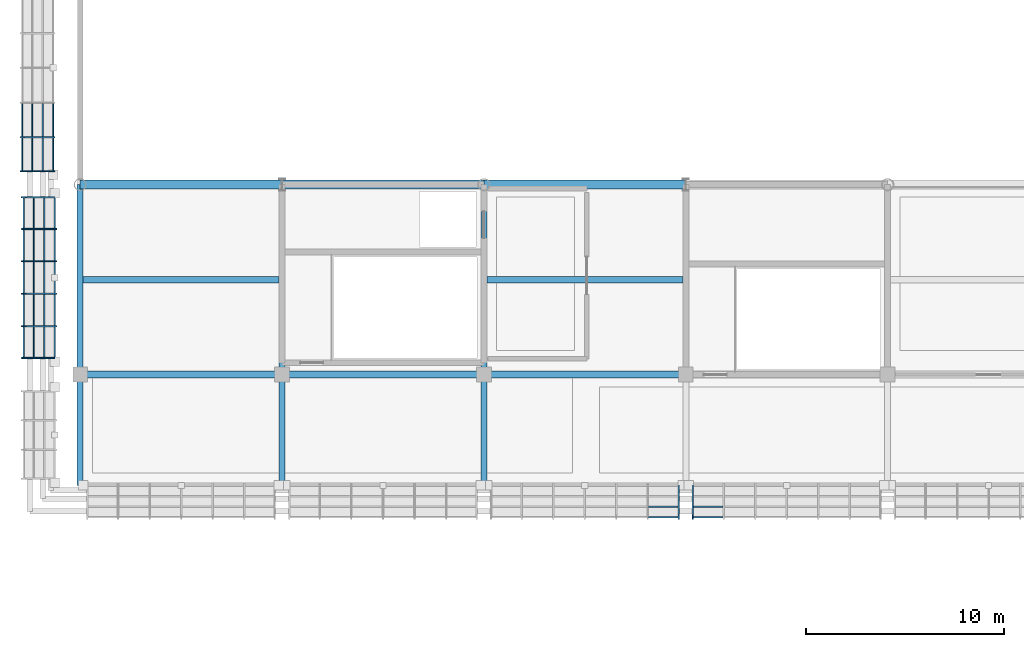
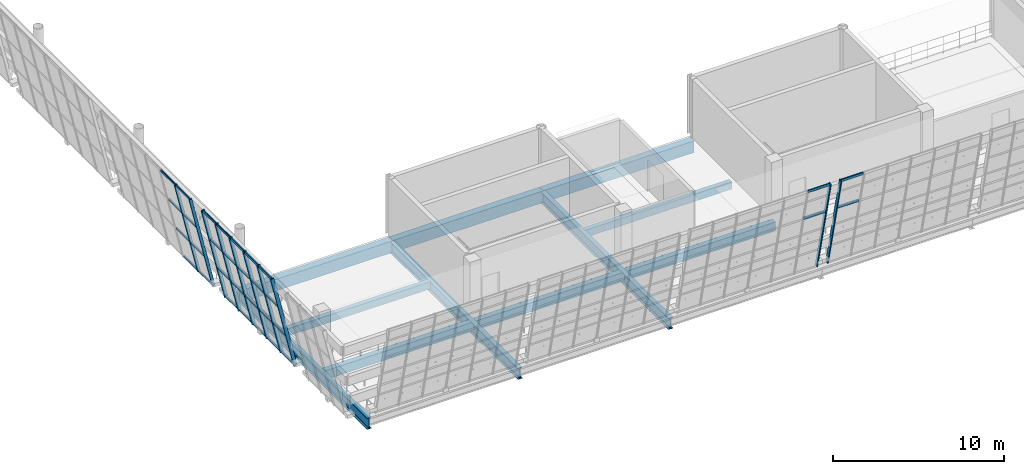
# One storey, part 23 of 157: 42 members, 11 beams, 4 elements without a shape of their own.
"""IFC4 building model written with IfcOpenShell, lengths in metres."""

from ifc_helpers import new_model, si_unit, direction, frame, origin, origin_2d, place, context, subcontext, project, spatial, rectangle, hollow_rectangle, i_section, extrude, material, material_profile, profile_set, type_object, element, aggregate, save


model = new_model("IFC4")

# Units and contexts
model_context = context("Model", 3, precision=1e-05, world=origin(), true_north=direction((0.0, 1.0)))
body_context = subcontext(model_context, "Body", "Model", "MODEL_VIEW")
ifc_project = project(units=[si_unit("LENGTHUNIT", "METRE"), si_unit("AREAUNIT", "SQUARE_METRE"), si_unit("VOLUMEUNIT", "CUBIC_METRE"), si_unit("PLANEANGLEUNIT", "RADIAN"), si_unit("MASSUNIT", "GRAM", prefix="KILO")], contexts=[model_context])

# Site, building, storey
site_placement = place(None, origin())
site = spatial("IfcSite", under=ifc_project, at=site_placement, CompositionType="ELEMENT")
building_placement = place(site_placement, origin())
building = spatial("IfcBuilding", under=site, at=building_placement, Name="Brelvane Convention Centre", CompositionType="ELEMENT")
storey_placement = place(building_placement, frame((0.0, 0.0, 10.800048828125)))
storey = spatial("IfcBuildingStorey", under=building, at=storey_placement, Name="L02", CompositionType="ELEMENT", Elevation=10.800048828125)

# Curtain wall, member
ifc_material_1 = material(Name="Anodised Aluminium Alloy 6063-T6", Category="aluminium")
curtain_wall_type = type_object("IfcCurtainWallType", Name="Curtain Wall CW-HULL-S", PredefinedType="USERDEFINED", material=ifc_material_1)
curtain_wall_1_placement = place(storey_placement, origin())
curtain_wall_1 = element("IfcCurtainWall", 1, at=curtain_wall_1_placement, inside=storey, type_object=curtain_wall_type, Name="Curtain Wall CW-HULL-S L02-HULL-S-L02-03", ObjectType="UNITISED", PredefinedType="USERDEFINED")
ifc_material_2 = material(Name="Anodised Aluminium Alloy 6063-T6", Category="aluminium")
ifc_material_profile_1 = material_profile(ifc_material_2, hollow_rectangle(XDim=0.080078125, YDim=0.239990234375, WallThickness=0.006103515625, InnerFilletRadius=0.006103515625, OuterFilletRadius=0.011962890625, at=origin_2d()), Name="ALU-M 240x80x6.0")
ifc_profile_set_1 = profile_set([ifc_material_profile_1], Name="Anodised Aluminium Alloy 6063-T6")
member_type_1 = type_object("IfcMemberType", Name="Curtain Mullion CW-M1", PredefinedType="MULLION", material=ifc_profile_set_1)
member_1_placement = place(storey_placement, frame((30.239990234375, 13.60009765625, 0.0), z_axis=(0.0, -0.228360410362, 0.973576665178), x_axis=(1.0, 0.0, 0.0)))
member_1 = element("IfcMember", 2, at=member_1_placement, type_object=member_type_1, Name="CW-HULL-S mullion 7", PredefinedType="MULLION", context=body_context, shape_type="SweptSolid", body=[
    extrude(hollow_rectangle(XDim=0.080078125, YDim=0.239990234375, WallThickness=0.006103515625, InnerFilletRadius=0.006103515625, OuterFilletRadius=0.011962890625, at=origin_2d()), origin(), (0.0, 0.0, 1.0), 7.03564453125),
])

curtain_wall_2_placement = place(storey_placement, origin())
curtain_wall_2 = element("IfcCurtainWall", 3, at=curtain_wall_2_placement, inside=storey, type_object=curtain_wall_type, Name="Curtain Wall CW-HULL-S L02-HULL-S-L02-04", ObjectType="UNITISED", PredefinedType="USERDEFINED")
member_2_placement = place(storey_placement, frame((30.9599609375, 13.60009765625, 0.0), z_axis=(0.0, -0.228360410362, 0.973576665178), x_axis=(1.0, 0.0, 0.0)))
member_2 = element("IfcMember", 4, at=member_2_placement, type_object=member_type_1, Name="CW-HULL-S mullion 1", PredefinedType="MULLION", context=body_context, shape_type="SweptSolid", body=[
    extrude(hollow_rectangle(XDim=0.080078125, YDim=0.239990234375, WallThickness=0.006103515625, InnerFilletRadius=0.006103515625, OuterFilletRadius=0.011962890625, at=origin_2d()), origin(), (0.0, 0.0, 1.0), 7.03564453125),
])

# Curtain wall, members
curtain_wall_3_placement = place(storey_placement, origin())
curtain_wall_3 = element("IfcCurtainWall", 5, at=curtain_wall_3_placement, inside=storey, type_object=curtain_wall_type, Name="Curtain Wall CW-HULL-S L02-HULL-W-GAL-L02-B", ObjectType="UNITISED", PredefinedType="USERDEFINED")
member_3_placement = place(storey_placement, frame((-1.280029296875, 20.0400390625, 0.0), z_axis=(-0.228358217905, 0.0, 0.973577179434), x_axis=(0.0, -1.0, 0.0)))
member_3 = element("IfcMember", 6, at=member_3_placement, type_object=member_type_1, Name="CW-HULL-S mullion 1", PredefinedType="MULLION", context=body_context, shape_type="SweptSolid", body=[
    extrude(hollow_rectangle(XDim=0.080078125, YDim=0.239990234375, WallThickness=0.006103515625, InnerFilletRadius=0.006103515625, OuterFilletRadius=0.011962890625, at=origin_2d()), origin(), (0.0, 0.0, 1.0), 6.93310546875),
])
member_4_placement = place(storey_placement, frame((-1.280029296875, 21.639892578125, 0.0), z_axis=(-0.228358217905, 0.0, 0.973577179434), x_axis=(0.0, -1.0, 0.0)))
member_4 = element("IfcMember", 7, at=member_4_placement, type_object=member_type_1, Name="CW-HULL-S mullion 2", PredefinedType="MULLION", context=body_context, shape_type="SweptSolid", body=[
    extrude(hollow_rectangle(XDim=0.080078125, YDim=0.239990234375, WallThickness=0.006103515625, InnerFilletRadius=0.006103515625, OuterFilletRadius=0.011962890625, at=origin_2d()), origin(), (0.0, 0.0, 1.0), 6.93310546875),
])
member_5_placement = place(storey_placement, frame((-1.280029296875, 23.280029296875, 0.0), z_axis=(-0.228358217905, 0.0, 0.973577179434), x_axis=(0.0, -1.0, 0.0)))
member_5 = element("IfcMember", 8, at=member_5_placement, type_object=member_type_1, Name="CW-HULL-S mullion 3", PredefinedType="MULLION", context=body_context, shape_type="SweptSolid", body=[
    extrude(hollow_rectangle(XDim=0.080078125, YDim=0.239990234375, WallThickness=0.006103515625, InnerFilletRadius=0.006103515625, OuterFilletRadius=0.011962890625, at=origin_2d()), origin(), (0.0, 0.0, 1.0), 6.93310546875),
])
member_6_placement = place(storey_placement, frame((-1.280029296875, 24.919921875, 0.0), z_axis=(-0.228358217905, 0.0, 0.973577179434), x_axis=(0.0, -1.0, 0.0)))
member_6 = element("IfcMember", 9, at=member_6_placement, type_object=member_type_1, Name="CW-HULL-S mullion 4", PredefinedType="MULLION", context=body_context, shape_type="SweptSolid", body=[
    extrude(hollow_rectangle(XDim=0.080078125, YDim=0.239990234375, WallThickness=0.006103515625, InnerFilletRadius=0.006103515625, OuterFilletRadius=0.011962890625, at=origin_2d()), origin(), (0.0, 0.0, 1.0), 6.93310546875),
])
member_7_placement = place(storey_placement, frame((-1.280029296875, 26.56005859375, 0.0), z_axis=(-0.228358217905, 0.0, 0.973577179434), x_axis=(0.0, -1.0, 0.0)))
member_7 = element("IfcMember", 10, at=member_7_placement, type_object=member_type_1, Name="CW-HULL-S mullion 5", PredefinedType="MULLION", context=body_context, shape_type="SweptSolid", body=[
    extrude(hollow_rectangle(XDim=0.080078125, YDim=0.239990234375, WallThickness=0.006103515625, InnerFilletRadius=0.006103515625, OuterFilletRadius=0.011962890625, at=origin_2d()), origin(), (0.0, 0.0, 1.0), 6.93310546875),
])
member_8_placement = place(storey_placement, frame((-1.280029296875, 28.159912109375, 0.0), z_axis=(-0.228358217905, 0.0, 0.973577179434), x_axis=(0.0, -1.0, 0.0)))
member_8 = element("IfcMember", 11, at=member_8_placement, type_object=member_type_1, Name="CW-HULL-S mullion 6", PredefinedType="MULLION", context=body_context, shape_type="SweptSolid", body=[
    extrude(hollow_rectangle(XDim=0.080078125, YDim=0.239990234375, WallThickness=0.006103515625, InnerFilletRadius=0.006103515625, OuterFilletRadius=0.011962890625, at=origin_2d()), origin(), (0.0, 0.0, 1.0), 6.93310546875),
])

curtain_wall_4_placement = place(storey_placement, origin())
curtain_wall_4 = element("IfcCurtainWall", 12, at=curtain_wall_4_placement, inside=storey, type_object=curtain_wall_type, Name="Curtain Wall CW-HULL-S L02-HULL-W-L02-1", ObjectType="UNITISED", PredefinedType="USERDEFINED")
ifc_material_3 = material(Name="Anodised Aluminium Alloy 6063-T6", Category="aluminium")
ifc_material_profile_2 = material_profile(ifc_material_3, hollow_rectangle(XDim=0.074951171875, YDim=0.199951171875, WallThickness=0.0048828125, InnerFilletRadius=0.0048828125, OuterFilletRadius=0.010009765625, at=origin_2d()), Name="ALU-M 200x75x5.0")
ifc_profile_set_2 = profile_set([ifc_material_profile_2], Name="Anodised Aluminium Alloy 6063-T6")
member_type_2 = type_object("IfcMemberType", Name="Curtain Mullion CW-M2", PredefinedType="MULLION", material=ifc_profile_set_2)
member_9_placement = place(storey_placement, frame((-1.360107421875, 29.487548828125, 0.0), z_axis=(-0.228324840492, 0.0, 0.973585007698), x_axis=(0.0, -1.0, 0.0)))
member_9 = element("IfcMember", 13, at=member_9_placement, type_object=member_type_2, Name="CW-HULL-S mullion 1", PredefinedType="MULLION", context=body_context, shape_type="SweptSolid", body=[
    extrude(hollow_rectangle(XDim=0.074951171875, YDim=0.199951171875, WallThickness=0.0048828125, InnerFilletRadius=0.0048828125, OuterFilletRadius=0.010009765625, at=origin_2d()), origin(), (0.0, 0.0, 1.0), 6.93310546875),
])
member_10_placement = place(storey_placement, frame((-1.360107421875, 31.199951171875, 0.0), z_axis=(-0.228324840492, 0.0, 0.973585007698), x_axis=(0.0, -1.0, 0.0)))
member_10 = element("IfcMember", 14, at=member_10_placement, type_object=member_type_2, Name="CW-HULL-S mullion 2", PredefinedType="MULLION", context=body_context, shape_type="SweptSolid", body=[
    extrude(hollow_rectangle(XDim=0.074951171875, YDim=0.199951171875, WallThickness=0.0048828125, InnerFilletRadius=0.0048828125, OuterFilletRadius=0.010009765625, at=origin_2d()), origin(), (0.0, 0.0, 1.0), 6.93310546875),
])

# Member
ifc_material_4 = material(Name="Anodised Aluminium Alloy 6063-T6", Category="aluminium")
ifc_material_profile_3 = material_profile(ifc_material_4, hollow_rectangle(XDim=0.080078125, YDim=0.179931640625, WallThickness=0.0048828125, InnerFilletRadius=0.0048828125, OuterFilletRadius=0.010009765625, at=origin_2d()), Name="ALU-T 180x80x5.0")
ifc_profile_set_3 = profile_set([ifc_material_profile_3], Name="Anodised Aluminium Alloy 6063-T6")
member_type_3 = type_object("IfcMemberType", Name="Curtain Transom CW-T1", PredefinedType="USERDEFINED", material=ifc_profile_set_3)
member_11_placement = place(storey_placement, frame((28.7265625, 12.52880859375, 4.566650390625), z_axis=(1.0, 0.0, 0.0), x_axis=(0.0, 1.0, 0.0)))
member_11 = element("IfcMember", 15, at=member_11_placement, type_object=member_type_3, Name="CW-HULL-S transom 6.3", ObjectType="TRANSOM", PredefinedType="USERDEFINED", context=body_context, shape_type="SweptSolid", body=[
    extrude(hollow_rectangle(XDim=0.080078125, YDim=0.179931640625, WallThickness=0.0048828125, InnerFilletRadius=0.0048828125, OuterFilletRadius=0.010009765625, at=origin_2d()), origin(), (0.0, 0.0, 1.0), 1.473388671875),
])

member_12_placement = place(storey_placement, frame((28.7265625, 12.002685546875, 6.81005859375), z_axis=(1.0, 0.0, 0.0), x_axis=(0.0, 1.0, 0.0)))
member_12 = element("IfcMember", 16, at=member_12_placement, type_object=member_type_3, Name="CW-HULL-S transom 6.4", ObjectType="TRANSOM", PredefinedType="USERDEFINED", context=body_context, shape_type="SweptSolid", body=[
    extrude(hollow_rectangle(XDim=0.080078125, YDim=0.179931640625, WallThickness=0.0048828125, InnerFilletRadius=0.0048828125, OuterFilletRadius=0.010009765625, at=origin_2d()), origin(), (0.0, 0.0, 1.0), 1.473388671875),
])

aggregate(curtain_wall_1, [member_1, member_11, member_12])

member_13_placement = place(storey_placement, frame((31.0, 12.52880859375, 4.566650390625), z_axis=(1.0, 0.0, 0.0), x_axis=(0.0, 1.0, 0.0)))
member_13 = element("IfcMember", 17, at=member_13_placement, type_object=member_type_3, Name="CW-HULL-S transom 1.3", ObjectType="TRANSOM", PredefinedType="USERDEFINED", context=body_context, shape_type="SweptSolid", body=[
    extrude(hollow_rectangle(XDim=0.080078125, YDim=0.179931640625, WallThickness=0.0048828125, InnerFilletRadius=0.0048828125, OuterFilletRadius=0.010009765625, at=origin_2d()), origin(), (0.0, 0.0, 1.0), 1.473388671875),
])

member_14_placement = place(storey_placement, frame((31.0, 12.002685546875, 6.81005859375), z_axis=(1.0, 0.0, 0.0), x_axis=(0.0, 1.0, 0.0)))
member_14 = element("IfcMember", 18, at=member_14_placement, type_object=member_type_3, Name="CW-HULL-S transom 1.4", ObjectType="TRANSOM", PredefinedType="USERDEFINED", context=body_context, shape_type="SweptSolid", body=[
    extrude(hollow_rectangle(XDim=0.080078125, YDim=0.179931640625, WallThickness=0.0048828125, InnerFilletRadius=0.0048828125, OuterFilletRadius=0.010009765625, at=origin_2d()), origin(), (0.0, 0.0, 1.0), 1.473388671875),
])

aggregate(curtain_wall_2, [member_2, member_13, member_14])

member_15_placement = place(storey_placement, frame((-1.289306640625, 20.080078125, 0.0400390625), z_axis=(0.0, 1.0, 0.0), x_axis=(-1.0, 0.0, 0.0)))
member_15 = element("IfcMember", 19, at=member_15_placement, type_object=member_type_3, Name="CW-HULL-S transom 1.1", ObjectType="TRANSOM", PredefinedType="USERDEFINED", context=body_context, shape_type="SweptSolid", body=[
    extrude(hollow_rectangle(XDim=0.080078125, YDim=0.179931640625, WallThickness=0.0048828125, InnerFilletRadius=0.0048828125, OuterFilletRadius=0.010009765625, at=origin_2d()), origin(), (0.0, 0.0, 1.0), 1.52001953125),
])

member_16_placement = place(storey_placement, frame((-1.8076171875, 20.080078125, 2.25), z_axis=(0.0, 1.0, 0.0), x_axis=(-1.0, 0.0, 0.0)))
member_16 = element("IfcMember", 20, at=member_16_placement, type_object=member_type_3, Name="CW-HULL-S transom 1.2", ObjectType="TRANSOM", PredefinedType="USERDEFINED", context=body_context, shape_type="SweptSolid", body=[
    extrude(hollow_rectangle(XDim=0.080078125, YDim=0.179931640625, WallThickness=0.0048828125, InnerFilletRadius=0.0048828125, OuterFilletRadius=0.010009765625, at=origin_2d()), origin(), (0.0, 0.0, 1.0), 1.52001953125),
])

member_17_placement = place(storey_placement, frame((-2.33544921875, 20.080078125, 4.5), z_axis=(0.0, 1.0, 0.0), x_axis=(-1.0, 0.0, 0.0)))
member_17 = element("IfcMember", 21, at=member_17_placement, type_object=member_type_3, Name="CW-HULL-S transom 1.3", ObjectType="TRANSOM", PredefinedType="USERDEFINED", context=body_context, shape_type="SweptSolid", body=[
    extrude(hollow_rectangle(XDim=0.080078125, YDim=0.179931640625, WallThickness=0.0048828125, InnerFilletRadius=0.0048828125, OuterFilletRadius=0.010009765625, at=origin_2d()), origin(), (0.0, 0.0, 1.0), 1.52001953125),
])

member_18_placement = place(storey_placement, frame((-2.853759765625, 20.080078125, 6.7099609375), z_axis=(0.0, 1.0, 0.0), x_axis=(-1.0, 0.0, 0.0)))
member_18 = element("IfcMember", 22, at=member_18_placement, type_object=member_type_3, Name="CW-HULL-S transom 1.4", ObjectType="TRANSOM", PredefinedType="USERDEFINED", context=body_context, shape_type="SweptSolid", body=[
    extrude(hollow_rectangle(XDim=0.080078125, YDim=0.179931640625, WallThickness=0.0048828125, InnerFilletRadius=0.0048828125, OuterFilletRadius=0.010009765625, at=origin_2d()), origin(), (0.0, 0.0, 1.0), 1.52001953125),
])

member_19_placement = place(storey_placement, frame((-1.289306640625, 21.679931640625, 0.0400390625), z_axis=(0.0, 1.0, 0.0), x_axis=(-1.0, 0.0, 0.0)))
member_19 = element("IfcMember", 23, at=member_19_placement, type_object=member_type_3, Name="CW-HULL-S transom 2.1", ObjectType="TRANSOM", PredefinedType="USERDEFINED", context=body_context, shape_type="SweptSolid", body=[
    extrude(hollow_rectangle(XDim=0.080078125, YDim=0.179931640625, WallThickness=0.0048828125, InnerFilletRadius=0.0048828125, OuterFilletRadius=0.010009765625, at=origin_2d()), origin(), (0.0, 0.0, 1.0), 1.56005859375),
])

member_20_placement = place(storey_placement, frame((-1.8076171875, 21.679931640625, 2.25), z_axis=(0.0, 1.0, 0.0), x_axis=(-1.0, 0.0, 0.0)))
member_20 = element("IfcMember", 24, at=member_20_placement, type_object=member_type_3, Name="CW-HULL-S transom 2.2", ObjectType="TRANSOM", PredefinedType="USERDEFINED", context=body_context, shape_type="SweptSolid", body=[
    extrude(hollow_rectangle(XDim=0.080078125, YDim=0.179931640625, WallThickness=0.0048828125, InnerFilletRadius=0.0048828125, OuterFilletRadius=0.010009765625, at=origin_2d()), origin(), (0.0, 0.0, 1.0), 1.56005859375),
])

member_21_placement = place(storey_placement, frame((-2.33544921875, 21.679931640625, 4.5), z_axis=(0.0, 1.0, 0.0), x_axis=(-1.0, 0.0, 0.0)))
member_21 = element("IfcMember", 25, at=member_21_placement, type_object=member_type_3, Name="CW-HULL-S transom 2.3", ObjectType="TRANSOM", PredefinedType="USERDEFINED", context=body_context, shape_type="SweptSolid", body=[
    extrude(hollow_rectangle(XDim=0.080078125, YDim=0.179931640625, WallThickness=0.0048828125, InnerFilletRadius=0.0048828125, OuterFilletRadius=0.010009765625, at=origin_2d()), origin(), (0.0, 0.0, 1.0), 1.56005859375),
])

member_22_placement = place(storey_placement, frame((-2.853759765625, 21.679931640625, 6.7099609375), z_axis=(0.0, 1.0, 0.0), x_axis=(-1.0, 0.0, 0.0)))
member_22 = element("IfcMember", 26, at=member_22_placement, type_object=member_type_3, Name="CW-HULL-S transom 2.4", ObjectType="TRANSOM", PredefinedType="USERDEFINED", context=body_context, shape_type="SweptSolid", body=[
    extrude(hollow_rectangle(XDim=0.080078125, YDim=0.179931640625, WallThickness=0.0048828125, InnerFilletRadius=0.0048828125, OuterFilletRadius=0.010009765625, at=origin_2d()), origin(), (0.0, 0.0, 1.0), 1.56005859375),
])

member_23_placement = place(storey_placement, frame((-1.289306640625, 23.320068359375, 0.0400390625), z_axis=(0.0, 1.0, 0.0), x_axis=(-1.0, 0.0, 0.0)))
member_23 = element("IfcMember", 27, at=member_23_placement, type_object=member_type_3, Name="CW-HULL-S transom 3.1", ObjectType="TRANSOM", PredefinedType="USERDEFINED", context=body_context, shape_type="SweptSolid", body=[
    extrude(hollow_rectangle(XDim=0.080078125, YDim=0.179931640625, WallThickness=0.0048828125, InnerFilletRadius=0.0048828125, OuterFilletRadius=0.010009765625, at=origin_2d()), origin(), (0.0, 0.0, 1.0), 1.559814453125),
])

member_24_placement = place(storey_placement, frame((-1.8076171875, 23.320068359375, 2.25), z_axis=(0.0, 1.0, 0.0), x_axis=(-1.0, 0.0, 0.0)))
member_24 = element("IfcMember", 28, at=member_24_placement, type_object=member_type_3, Name="CW-HULL-S transom 3.2", ObjectType="TRANSOM", PredefinedType="USERDEFINED", context=body_context, shape_type="SweptSolid", body=[
    extrude(hollow_rectangle(XDim=0.080078125, YDim=0.179931640625, WallThickness=0.0048828125, InnerFilletRadius=0.0048828125, OuterFilletRadius=0.010009765625, at=origin_2d()), origin(), (0.0, 0.0, 1.0), 1.559814453125),
])

member_25_placement = place(storey_placement, frame((-2.33544921875, 23.320068359375, 4.5), z_axis=(0.0, 1.0, 0.0), x_axis=(-1.0, 0.0, 0.0)))
member_25 = element("IfcMember", 29, at=member_25_placement, type_object=member_type_3, Name="CW-HULL-S transom 3.3", ObjectType="TRANSOM", PredefinedType="USERDEFINED", context=body_context, shape_type="SweptSolid", body=[
    extrude(hollow_rectangle(XDim=0.080078125, YDim=0.179931640625, WallThickness=0.0048828125, InnerFilletRadius=0.0048828125, OuterFilletRadius=0.010009765625, at=origin_2d()), origin(), (0.0, 0.0, 1.0), 1.559814453125),
])

member_26_placement = place(storey_placement, frame((-2.853759765625, 23.320068359375, 6.7099609375), z_axis=(0.0, 1.0, 0.0), x_axis=(-1.0, 0.0, 0.0)))
member_26 = element("IfcMember", 30, at=member_26_placement, type_object=member_type_3, Name="CW-HULL-S transom 3.4", ObjectType="TRANSOM", PredefinedType="USERDEFINED", context=body_context, shape_type="SweptSolid", body=[
    extrude(hollow_rectangle(XDim=0.080078125, YDim=0.179931640625, WallThickness=0.0048828125, InnerFilletRadius=0.0048828125, OuterFilletRadius=0.010009765625, at=origin_2d()), origin(), (0.0, 0.0, 1.0), 1.559814453125),
])

member_27_placement = place(storey_placement, frame((-1.289306640625, 24.9599609375, 0.0400390625), z_axis=(0.0, 1.0, 0.0), x_axis=(-1.0, 0.0, 0.0)))
member_27 = element("IfcMember", 31, at=member_27_placement, type_object=member_type_3, Name="CW-HULL-S transom 4.1", ObjectType="TRANSOM", PredefinedType="USERDEFINED", context=body_context, shape_type="SweptSolid", body=[
    extrude(hollow_rectangle(XDim=0.080078125, YDim=0.179931640625, WallThickness=0.0048828125, InnerFilletRadius=0.0048828125, OuterFilletRadius=0.010009765625, at=origin_2d()), origin(), (0.0, 0.0, 1.0), 1.56005859375),
])

member_28_placement = place(storey_placement, frame((-1.8076171875, 24.9599609375, 2.25), z_axis=(0.0, 1.0, 0.0), x_axis=(-1.0, 0.0, 0.0)))
member_28 = element("IfcMember", 32, at=member_28_placement, type_object=member_type_3, Name="CW-HULL-S transom 4.2", ObjectType="TRANSOM", PredefinedType="USERDEFINED", context=body_context, shape_type="SweptSolid", body=[
    extrude(hollow_rectangle(XDim=0.080078125, YDim=0.179931640625, WallThickness=0.0048828125, InnerFilletRadius=0.0048828125, OuterFilletRadius=0.010009765625, at=origin_2d()), origin(), (0.0, 0.0, 1.0), 1.56005859375),
])

member_29_placement = place(storey_placement, frame((-2.33544921875, 24.9599609375, 4.5), z_axis=(0.0, 1.0, 0.0), x_axis=(-1.0, 0.0, 0.0)))
member_29 = element("IfcMember", 33, at=member_29_placement, type_object=member_type_3, Name="CW-HULL-S transom 4.3", ObjectType="TRANSOM", PredefinedType="USERDEFINED", context=body_context, shape_type="SweptSolid", body=[
    extrude(hollow_rectangle(XDim=0.080078125, YDim=0.179931640625, WallThickness=0.0048828125, InnerFilletRadius=0.0048828125, OuterFilletRadius=0.010009765625, at=origin_2d()), origin(), (0.0, 0.0, 1.0), 1.56005859375),
])

member_30_placement = place(storey_placement, frame((-2.853759765625, 24.9599609375, 6.7099609375), z_axis=(0.0, 1.0, 0.0), x_axis=(-1.0, 0.0, 0.0)))
member_30 = element("IfcMember", 34, at=member_30_placement, type_object=member_type_3, Name="CW-HULL-S transom 4.4", ObjectType="TRANSOM", PredefinedType="USERDEFINED", context=body_context, shape_type="SweptSolid", body=[
    extrude(hollow_rectangle(XDim=0.080078125, YDim=0.179931640625, WallThickness=0.0048828125, InnerFilletRadius=0.0048828125, OuterFilletRadius=0.010009765625, at=origin_2d()), origin(), (0.0, 0.0, 1.0), 1.56005859375),
])

member_31_placement = place(storey_placement, frame((-1.289306640625, 26.60009765625, 0.0400390625), z_axis=(0.0, 1.0, 0.0), x_axis=(-1.0, 0.0, 0.0)))
member_31 = element("IfcMember", 35, at=member_31_placement, type_object=member_type_3, Name="CW-HULL-S transom 5.1", ObjectType="TRANSOM", PredefinedType="USERDEFINED", context=body_context, shape_type="SweptSolid", body=[
    extrude(hollow_rectangle(XDim=0.080078125, YDim=0.179931640625, WallThickness=0.0048828125, InnerFilletRadius=0.0048828125, OuterFilletRadius=0.010009765625, at=origin_2d()), origin(), (0.0, 0.0, 1.0), 1.52001953125),
])

member_32_placement = place(storey_placement, frame((-1.8076171875, 26.60009765625, 2.25), z_axis=(0.0, 1.0, 0.0), x_axis=(-1.0, 0.0, 0.0)))
member_32 = element("IfcMember", 36, at=member_32_placement, type_object=member_type_3, Name="CW-HULL-S transom 5.2", ObjectType="TRANSOM", PredefinedType="USERDEFINED", context=body_context, shape_type="SweptSolid", body=[
    extrude(hollow_rectangle(XDim=0.080078125, YDim=0.179931640625, WallThickness=0.0048828125, InnerFilletRadius=0.0048828125, OuterFilletRadius=0.010009765625, at=origin_2d()), origin(), (0.0, 0.0, 1.0), 1.52001953125),
])

member_33_placement = place(storey_placement, frame((-2.33544921875, 26.60009765625, 4.5), z_axis=(0.0, 1.0, 0.0), x_axis=(-1.0, 0.0, 0.0)))
member_33 = element("IfcMember", 37, at=member_33_placement, type_object=member_type_3, Name="CW-HULL-S transom 5.3", ObjectType="TRANSOM", PredefinedType="USERDEFINED", context=body_context, shape_type="SweptSolid", body=[
    extrude(hollow_rectangle(XDim=0.080078125, YDim=0.179931640625, WallThickness=0.0048828125, InnerFilletRadius=0.0048828125, OuterFilletRadius=0.010009765625, at=origin_2d()), origin(), (0.0, 0.0, 1.0), 1.52001953125),
])

member_34_placement = place(storey_placement, frame((-2.853759765625, 26.60009765625, 6.7099609375), z_axis=(0.0, 1.0, 0.0), x_axis=(-1.0, 0.0, 0.0)))
member_34 = element("IfcMember", 38, at=member_34_placement, type_object=member_type_3, Name="CW-HULL-S transom 5.4", ObjectType="TRANSOM", PredefinedType="USERDEFINED", context=body_context, shape_type="SweptSolid", body=[
    extrude(hollow_rectangle(XDim=0.080078125, YDim=0.179931640625, WallThickness=0.0048828125, InnerFilletRadius=0.0048828125, OuterFilletRadius=0.010009765625, at=origin_2d()), origin(), (0.0, 0.0, 1.0), 1.52001953125),
])

aggregate(curtain_wall_3, [member_3, member_4, member_5, member_6, member_7, member_8, member_15, member_16, member_17, member_18, member_19, member_20, member_21, member_22, member_23, member_24, member_25, member_26, member_27, member_28, member_29, member_30, member_31, member_32, member_33, member_34])

ifc_material_5 = material(Name="Anodised Aluminium Alloy 6063-T6", Category="aluminium")
ifc_material_profile_4 = material_profile(ifc_material_5, hollow_rectangle(XDim=0.070068359375, YDim=0.14990234375, WallThickness=0.00439453125, InnerFilletRadius=0.00439453125, OuterFilletRadius=0.009033203125, at=origin_2d()), Name="ALU-T 150x70x4.5")
ifc_profile_set_4 = profile_set([ifc_material_profile_4], Name="Anodised Aluminium Alloy 6063-T6")
member_type_4 = type_object("IfcMemberType", Name="Curtain Transom CW-T2", PredefinedType="USERDEFINED", material=ifc_profile_set_4)
member_35_placement = place(storey_placement, frame((-1.3681640625, 29.52490234375, 0.034912109375), z_axis=(0.0, 1.0, 0.0), x_axis=(-1.0, 0.0, 0.0)))
member_35 = element("IfcMember", 39, at=member_35_placement, type_object=member_type_4, Name="CW-HULL-S transom 1.1", ObjectType="TRANSOM", PredefinedType="USERDEFINED", context=body_context, shape_type="SweptSolid", body=[
    extrude(hollow_rectangle(XDim=0.070068359375, YDim=0.14990234375, WallThickness=0.00439453125, InnerFilletRadius=0.00439453125, OuterFilletRadius=0.009033203125, at=origin_2d()), origin(), (0.0, 0.0, 1.0), 1.6376953125),
])

member_36_placement = place(storey_placement, frame((-1.8876953125, 29.52490234375, 2.25), z_axis=(0.0, 1.0, 0.0), x_axis=(-1.0, 0.0, 0.0)))
member_36 = element("IfcMember", 40, at=member_36_placement, type_object=member_type_4, Name="CW-HULL-S transom 1.2", ObjectType="TRANSOM", PredefinedType="USERDEFINED", context=body_context, shape_type="SweptSolid", body=[
    extrude(hollow_rectangle(XDim=0.070068359375, YDim=0.14990234375, WallThickness=0.00439453125, InnerFilletRadius=0.00439453125, OuterFilletRadius=0.009033203125, at=origin_2d()), origin(), (0.0, 0.0, 1.0), 1.6376953125),
])

member_37_placement = place(storey_placement, frame((-2.41552734375, 29.52490234375, 4.5), z_axis=(0.0, 1.0, 0.0), x_axis=(-1.0, 0.0, 0.0)))
member_37 = element("IfcMember", 41, at=member_37_placement, type_object=member_type_4, Name="CW-HULL-S transom 1.3", ObjectType="TRANSOM", PredefinedType="USERDEFINED", context=body_context, shape_type="SweptSolid", body=[
    extrude(hollow_rectangle(XDim=0.070068359375, YDim=0.14990234375, WallThickness=0.00439453125, InnerFilletRadius=0.00439453125, OuterFilletRadius=0.009033203125, at=origin_2d()), origin(), (0.0, 0.0, 1.0), 1.6376953125),
])

member_38_placement = place(storey_placement, frame((-2.93505859375, 29.52490234375, 6.71484375), z_axis=(0.0, 1.0, 0.0), x_axis=(-1.0, 0.0, 0.0)))
member_38 = element("IfcMember", 42, at=member_38_placement, type_object=member_type_4, Name="CW-HULL-S transom 1.4", ObjectType="TRANSOM", PredefinedType="USERDEFINED", context=body_context, shape_type="SweptSolid", body=[
    extrude(hollow_rectangle(XDim=0.070068359375, YDim=0.14990234375, WallThickness=0.00439453125, InnerFilletRadius=0.00439453125, OuterFilletRadius=0.009033203125, at=origin_2d()), origin(), (0.0, 0.0, 1.0), 1.6376953125),
])

member_39_placement = place(storey_placement, frame((-1.3681640625, 31.237548828125, 0.034912109375), z_axis=(0.0, 1.0, 0.0), x_axis=(-1.0, 0.0, 0.0)))
member_39 = element("IfcMember", 43, at=member_39_placement, type_object=member_type_4, Name="CW-HULL-S transom 2.1", ObjectType="TRANSOM", PredefinedType="USERDEFINED", context=body_context, shape_type="SweptSolid", body=[
    extrude(hollow_rectangle(XDim=0.070068359375, YDim=0.14990234375, WallThickness=0.00439453125, InnerFilletRadius=0.00439453125, OuterFilletRadius=0.009033203125, at=origin_2d()), origin(), (0.0, 0.0, 1.0), 1.675048828125),
])

member_40_placement = place(storey_placement, frame((-1.8876953125, 31.237548828125, 2.25), z_axis=(0.0, 1.0, 0.0), x_axis=(-1.0, 0.0, 0.0)))
member_40 = element("IfcMember", 44, at=member_40_placement, type_object=member_type_4, Name="CW-HULL-S transom 2.2", ObjectType="TRANSOM", PredefinedType="USERDEFINED", context=body_context, shape_type="SweptSolid", body=[
    extrude(hollow_rectangle(XDim=0.070068359375, YDim=0.14990234375, WallThickness=0.00439453125, InnerFilletRadius=0.00439453125, OuterFilletRadius=0.009033203125, at=origin_2d()), origin(), (0.0, 0.0, 1.0), 1.675048828125),
])

member_41_placement = place(storey_placement, frame((-2.41552734375, 31.237548828125, 4.5), z_axis=(0.0, 1.0, 0.0), x_axis=(-1.0, 0.0, 0.0)))
member_41 = element("IfcMember", 45, at=member_41_placement, type_object=member_type_4, Name="CW-HULL-S transom 2.3", ObjectType="TRANSOM", PredefinedType="USERDEFINED", context=body_context, shape_type="SweptSolid", body=[
    extrude(hollow_rectangle(XDim=0.070068359375, YDim=0.14990234375, WallThickness=0.00439453125, InnerFilletRadius=0.00439453125, OuterFilletRadius=0.009033203125, at=origin_2d()), origin(), (0.0, 0.0, 1.0), 1.675048828125),
])

member_42_placement = place(storey_placement, frame((-2.93505859375, 31.237548828125, 6.71484375), z_axis=(0.0, 1.0, 0.0), x_axis=(-1.0, 0.0, 0.0)))
member_42 = element("IfcMember", 46, at=member_42_placement, type_object=member_type_4, Name="CW-HULL-S transom 2.4", ObjectType="TRANSOM", PredefinedType="USERDEFINED", context=body_context, shape_type="SweptSolid", body=[
    extrude(hollow_rectangle(XDim=0.070068359375, YDim=0.14990234375, WallThickness=0.00439453125, InnerFilletRadius=0.00439453125, OuterFilletRadius=0.009033203125, at=origin_2d()), origin(), (0.0, 0.0, 1.0), 1.675048828125),
])

aggregate(curtain_wall_4, [member_9, member_10, member_35, member_36, member_37, member_38, member_39, member_40, member_41, member_42])

# Beams
ifc_material_6 = material(Name="Concrete M40", Category="concrete")
ifc_material_profile_5 = material_profile(ifc_material_6, rectangle(XDim=0.4599609375, YDim=0.840087890625, at=origin_2d()), Name="RC 460x840")
ifc_profile_set_5 = profile_set([ifc_material_profile_5], Name="Concrete M40")
beam_type_1 = type_object("IfcBeamType", Name="RC Beam B-RC11 (RC 460x840)", PredefinedType="BEAM", material=ifc_profile_set_5)
for number, where, z_axis, x_axis, name in (
    (47, (0.0, 28.800048828125, -0.699951171875), (1.0, 0.0, 0.0), (0.0, 1.0, 0.0), "L02 Beam 1-2/D"),
    (48, (10.199951171875, 28.800048828125, -0.699951171875), (1.0, 0.0, 0.0), (0.0, 1.0, 0.0), "L02 Beam 2-3/D"),
):
    element("IfcBeam", number, at=place(storey_placement, frame(where, z_axis=z_axis, x_axis=x_axis)), inside=storey, type_object=beam_type_1, Name=name, PredefinedType="BEAM", context=body_context, shape_type="SweptSolid", body=[
        extrude(rectangle(XDim=0.4599609375, YDim=0.840087890625, at=origin_2d()), origin(), (0.0, 0.0, 1.0), 10.199951171875),
    ])
beam_1_placement = place(storey_placement, frame((20.39990234375, 28.800048828125, -0.699951171875), z_axis=(1.0, 0.0, 0.0), x_axis=(0.0, 1.0, 0.0)))
element("IfcBeam", 49, at=beam_1_placement, inside=storey, type_object=beam_type_1, Name="L02 Beam 3-4/D", PredefinedType="BEAM", context=body_context, shape_type="SweptSolid", body=[
    extrude(rectangle(XDim=0.4599609375, YDim=0.840087890625, at=origin_2d()), origin(), (0.0, 0.0, 1.0), 10.2001953125),
])
ifc_material_7 = material(Name="Concrete M40", Category="concrete")
ifc_material_profile_6 = material_profile(ifc_material_7, rectangle(XDim=0.320068359375, YDim=0.52001953125, at=origin_2d()), Name="RC 320x520")
ifc_profile_set_6 = profile_set([ifc_material_profile_6], Name="Concrete M40")
beam_type_2 = type_object("IfcBeamType", Name="RC Joist J-RC4 (RC 320x520)", PredefinedType="JOIST", material=ifc_profile_set_6)
beam_2_placement = place(storey_placement, frame((0.14990234375, 24.0, -0.5400390625), z_axis=(1.0, 0.0, 0.0), x_axis=(0.0, 1.0, 0.0)))
element("IfcBeam", 50, at=beam_2_placement, inside=storey, type_object=beam_type_2, Name="L02 Secondary Joist 1-2/CD", PredefinedType="JOIST", context=body_context, shape_type="SweptSolid", body=[
    extrude(rectangle(XDim=0.320068359375, YDim=0.52001953125, at=origin_2d()), origin(), (0.0, 0.0, 1.0), 9.900146484375),
])
beam_3_placement = place(storey_placement, frame((20.550048828125, 24.0, -0.5400390625), z_axis=(1.0, 0.0, 0.0), x_axis=(0.0, 1.0, 0.0)))
element("IfcBeam", 51, at=beam_3_placement, inside=storey, type_object=beam_type_2, Name="L02 Secondary Joist 3-4/CD", PredefinedType="JOIST", context=body_context, shape_type="SweptSolid", body=[
    extrude(rectangle(XDim=0.320068359375, YDim=0.52001953125, at=origin_2d()), origin(), (0.0, 0.0, 1.0), 9.89990234375),
])
ifc_material_8 = material(Name="Concrete M40", Category="concrete")
ifc_material_profile_7 = material_profile(ifc_material_8, rectangle(XDim=0.360107421875, YDim=0.639892578125, at=origin_2d()), Name="RC 360x640")
ifc_profile_set_7 = profile_set([ifc_material_profile_7], Name="Concrete M40")
beam_type_3 = type_object("IfcBeamType", Name="RC Spandrel SP-RC3 (RC 360x640)", PredefinedType="SPANDREL", material=ifc_profile_set_7)
for number, where, z_axis, x_axis, name in (
    (52, (0.0, 19.199951171875, -0.60009765625), (1.0, 0.0, 0.0), (0.0, 1.0, 0.0), "L02 Beam 1-2/C"),
    (53, (10.199951171875, 19.199951171875, -0.60009765625), (1.0, 0.0, 0.0), (0.0, 1.0, 0.0), "L02 Beam 2-3/C"),
):
    element("IfcBeam", number, at=place(storey_placement, frame(where, z_axis=z_axis, x_axis=x_axis)), inside=storey, type_object=beam_type_3, Name=name, PredefinedType="SPANDREL", context=body_context, shape_type="SweptSolid", body=[
        extrude(rectangle(XDim=0.360107421875, YDim=0.639892578125, at=origin_2d()), origin(), (0.0, 0.0, 1.0), 10.199951171875),
    ])
beam_4_placement = place(storey_placement, frame((20.39990234375, 19.199951171875, -0.60009765625), z_axis=(1.0, 0.0, 0.0), x_axis=(0.0, 1.0, 0.0)))
element("IfcBeam", 54, at=beam_4_placement, inside=storey, type_object=beam_type_3, Name="L02 Beam 3-4/C", PredefinedType="SPANDREL", context=body_context, shape_type="SweptSolid", body=[
    extrude(rectangle(XDim=0.360107421875, YDim=0.639892578125, at=origin_2d()), origin(), (0.0, 0.0, 1.0), 10.2001953125),
])
ifc_material_9 = material(Name="Steel E450 (450 MPa)", Category="steel")
ifc_material_profile_8 = material_profile(ifc_material_9, i_section(OverallWidth=0.300048828125, OverallDepth=0.800048828125, WebThickness=0.015380859375, FlangeThickness=0.030029296875, FilletRadius=0.027099609375, at=origin_2d()), Name="NPB 800x300")
ifc_profile_set_8 = profile_set([ifc_material_profile_8], Name="Steel E450 (450 MPa)")
beam_type_4 = type_object("IfcBeamType", Name="Steel Beam B-ST2 (NPB 800x300)", PredefinedType="BEAM", material=ifc_profile_set_8)
for number, where, z_axis, x_axis, name in (
    (55, (0.0, 13.60009765625, -0.679931640625), (0.0, 1.0, 0.0), (-1.0, 0.0, 0.0), "L02 Hull Cantilever Girder 1"),
    (56, (10.199951171875, 13.60009765625, -0.679931640625), (0.0, 1.0, 0.0), (-1.0, 0.0, 0.0), "L02 Hull Cantilever Girder 2"),
    (57, (20.39990234375, 13.60009765625, -0.679931640625), (0.0, 1.0, 0.0), (-1.0, 0.0, 0.0), "L02 Hull Cantilever Girder 3"),
):
    element("IfcBeam", number, at=place(storey_placement, frame(where, z_axis=z_axis, x_axis=x_axis)), inside=storey, type_object=beam_type_4, Name=name, PredefinedType="BEAM", context=body_context, shape_type="SweptSolid", body=[
        extrude(i_section(OverallWidth=0.300048828125, OverallDepth=0.800048828125, WebThickness=0.015380859375, FlangeThickness=0.030029296875, FilletRadius=0.027099609375, at=origin_2d()), origin(), (0.0, 0.0, 1.0), 15.199951171875),
    ])

save(model, "model.ifc")
